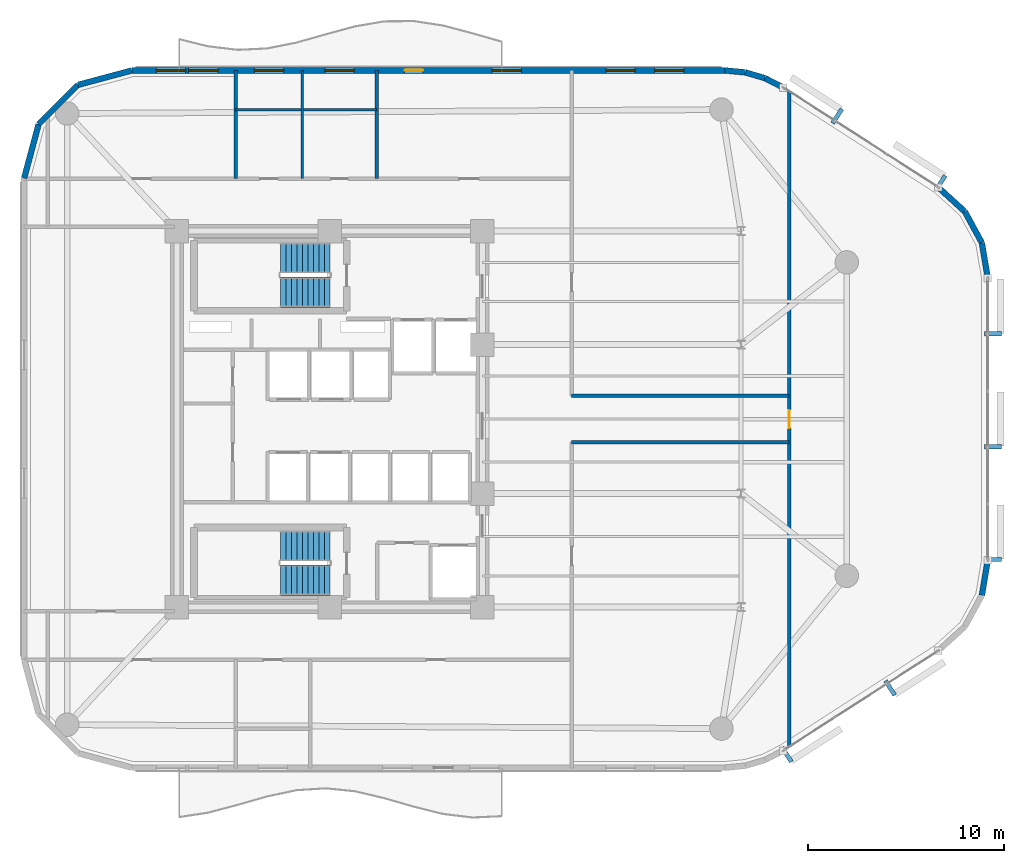
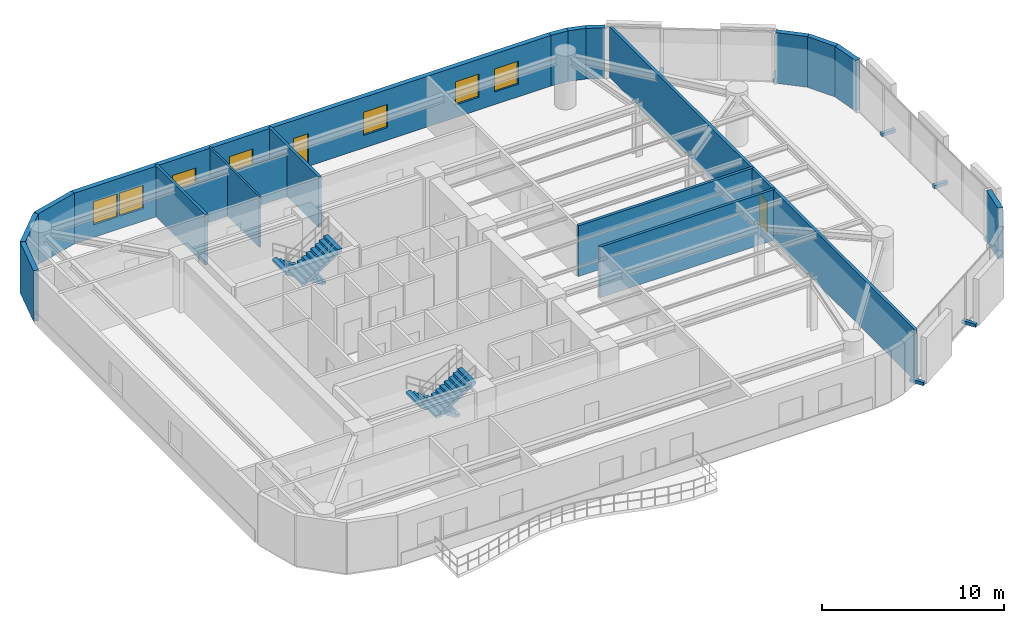
# One storey, part 12 of 14: 18 walls, 7 discrete accessories, 7 windows, 4 stair flights, 2 doors, 9 openings, 2 elements without a shape of their own.
"""IFC4 building model written with IfcOpenShell, lengths in metres."""

from ifc_helpers import new_model, si_unit, direction, frame, frame_2d, origin, origin_2d, place, context, subcontext, project, spatial, polyline, rectangle, outline, extrude, material, layer, layer_set, type_object, element, fill, aggregate, save


model = new_model("IFC4")

# Units and contexts
model_context = context("Model", 3, precision=1e-05, world=origin(), true_north=direction((0.0, 1.0)))
body_context = subcontext(model_context, "Body", "Model", "MODEL_VIEW")
ifc_project = project(units=[si_unit("LENGTHUNIT", "METRE"), si_unit("AREAUNIT", "SQUARE_METRE"), si_unit("VOLUMEUNIT", "CUBIC_METRE"), si_unit("PLANEANGLEUNIT", "RADIAN"), si_unit("MASSUNIT", "GRAM", prefix="KILO")], contexts=[model_context])

# Site, building, storey
site_placement = place(None, origin())
site = spatial("IfcSite", under=ifc_project, at=site_placement, CompositionType="ELEMENT")
building_placement = place(site_placement, origin())
building = spatial("IfcBuilding", under=site, at=building_placement, Name="An Khanh Terracotta Commons", CompositionType="ELEMENT")
storey_placement = place(building_placement, frame((0.0, 0.0, 158.199951171875)))
storey = spatial("IfcBuildingStorey", under=building, at=storey_placement, Name="L41", CompositionType="ELEMENT", Elevation=158.199951171875)

# Walls
ifc_material_1 = material(Name="Fire-Rated Gypsum Board on Steel Stud", Category="steel")
ifc_layer_1 = layer(ifc_material_1, 0.179931640625, Name="Fire-Rated Gypsum Board on Steel Stud")
ifc_layer_set_1 = layer_set([ifc_layer_1], Name="Fire-Rated Gypsum Board on Steel Stud")
wall_type_1 = type_object("IfcWallType", Name="WALL-CORR-180", PredefinedType="PARTITIONING", material=ifc_layer_set_1)
for number, where, z_axis, x_axis, name in (
    (1, (41.75, 22.820068359375, 0.0), (0.0, 0.0, 1.0), (1.0, 0.0, 0.0), "L41 Interior Partition IW-L41-E004"),
    (2, (41.75, 25.179931640625, 0.0), (0.0, 0.0, 1.0), (1.0, 0.0, 0.0), "L41 Interior Partition IW-L41-E005"),
):
    element("IfcWall", number, at=place(storey_placement, frame(where, z_axis=z_axis, x_axis=x_axis)), inside=storey, type_object=wall_type_1, Name=name, PredefinedType="PARTITIONING", context=body_context, shape_type="SweptSolid", body=[
        extrude(rectangle(XDim=11.10009765625, YDim=0.179931640625, at=frame_2d((5.550048828125, 0.0))), origin(), (0.0, 0.0, 1.0), 3.400146484375),
    ])
for number, where, z_axis, x_axis, name in (
    (3, (24.60009765625, 36.280029296875, 0.0), (0.0, 0.0, 1.0), (0.0, 1.0, 0.0), "L41 Interior Partition IW-L41-E012"),
    (4, (31.800048828125, 36.280029296875, 0.0), (0.0, 0.0, 1.0), (0.0, 1.0, 0.0), "L41 Interior Partition IW-L41-E015"),
):
    element("IfcWall", number, at=place(storey_placement, frame(where, z_axis=z_axis, x_axis=x_axis)), inside=storey, type_object=wall_type_1, Name=name, PredefinedType="PARTITIONING", context=body_context, shape_type="SweptSolid", body=[
        extrude(rectangle(XDim=5.52001953125, YDim=0.179931640625, at=frame_2d((2.760009765625, 0.0))), origin(), (0.0, 0.0, 1.0), 3.400146484375),
    ])

# Wall, opening, door
wall_1_placement = place(storey_placement, frame((52.85009765625, 7.262939453125, 0.0), z_axis=(0.0, 0.0, 1.0), x_axis=(0.0, 1.0, 0.0)))
wall_1 = element("IfcWall", 5, at=wall_1_placement, inside=storey, type_object=wall_type_1, Name="L41 Interior Partition IW-L41-E018", PredefinedType="PARTITIONING", context=body_context, shape_type="SweptSolid", body=[
    extrude(rectangle(XDim=33.47412109375, YDim=0.179931640625, at=frame_2d((16.737060546875, 0.0))), origin(), (0.0, 0.0, 1.0), 3.400146484375),
])
opening_1_placement = place(wall_1_placement, frame((16.277099609375, 0.0, 0.0)))
opening_1 = element("IfcOpeningElement", 6, at=opening_1_placement, cuts=wall_1, Name="Opening D-RM", PredefinedType="OPENING", context=body_context, shape_type="SweptSolid", body=[
    extrude(rectangle(XDim=0.919921875, YDim=2.10009765625, at=frame_2d((0.4599609375, 1.050048828125))), frame((0.0, 0.099853515625, 0.0), z_axis=(0.0, -1.0, 0.0), x_axis=(1.0, 0.0, 0.0)), (0.0, 0.0, 1.0), 0.199951171875),
])
ifc_material_2 = material(Name="Engineered Hardwood Timber Leaf", Category="wood")
door_type_1 = type_object("IfcDoorType", Name="DOOR-INT-920", OperationType="NOTDEFINED", PredefinedType="DOOR", material=ifc_material_2)
door_1_placement = place(opening_1_placement, origin())
door_1 = element("IfcDoor", 7, at=door_1_placement, inside=storey, type_object=door_type_1, Name="L41 GHALL Riverfront Reference Library Door", OperationType="SINGLE_SWING_LEFT", OverallHeight=2.10009765625, OverallWidth=0.919921875, PredefinedType="DOOR", context=body_context, shape_type="SweptSolid", body=[
    extrude(rectangle(XDim=0.919921875, YDim=2.10009765625, at=frame_2d((0.4599609375, 1.050048828125))), frame((0.0, 0.02490234375, 0.0), z_axis=(0.0, -1.0, 0.0), x_axis=(1.0, 0.0, 0.0)), (0.0, 0.0, 1.0), 0.050048828125),
])
fill(opening_1, door_1)

# Walls
ifc_material_3 = material(Name="Precast concrete C40/50", Category="concrete")
ifc_layer_2 = layer(ifc_material_3, 0.300048828125, Name="Precast concrete C40/50")
ifc_layer_set_2 = layer_set([ifc_layer_2], Name="Precast concrete C40/50")
wall_type_2 = type_object("IfcWallType", Name="WALL-EXT-300", PredefinedType="SOLIDWALL", material=ifc_layer_set_2)
for number, where, z_axis, x_axis, name in (
    (8, (62.697998046875, 15.0029296875, 0.0), (0.0, 0.0, 1.0), (0.165724081207, 0.986172159873, 0.0), "L41 Insulated Terracotta Exterior Wall 11"),
    (9, (63.0, 31.199951171875, 0.0), (0.0, 0.0, 1.0), (-0.165724081207, 0.986172159873, 0.0), "L41 Insulated Terracotta Exterior Wall 13"),
):
    element("IfcWall", number, at=place(storey_placement, frame(where, z_axis=z_axis, x_axis=x_axis)), inside=storey, type_object=wall_type_2, Name=name, PredefinedType="SOLIDWALL", context=body_context, shape_type="SweptSolid", body=[
        extrude(rectangle(XDim=1.822265625, YDim=0.300048828125, at=frame_2d((0.9111328125, 0.0))), origin(), (0.0, 0.0, 1.0), 3.400146484375),
    ])
wall_2_placement = place(storey_placement, frame((62.697998046875, 32.9970703125, 0.0), z_axis=(0.0, 0.0, 1.0), x_axis=(-0.478608030646, 0.878028674362, 0.0)))
element("IfcWall", 10, at=wall_2_placement, inside=storey, type_object=wall_type_2, Name="L41 Insulated Terracotta Exterior Wall 14", PredefinedType="SOLIDWALL", context=body_context, shape_type="SweptSolid", body=[
    extrude(rectangle(XDim=1.822021484375, YDim=0.300048828125, at=frame_2d((0.9111328125, 0.0))), origin(), (0.0, 0.0, 1.0), 3.400146484375),
])
wall_3_placement = place(storey_placement, frame((61.825927734375, 34.596923828125, 0.0), z_axis=(0.0, 0.0, 1.0), x_axis=(-0.73947929393, 0.673179302897, 0.0)))
element("IfcWall", 11, at=wall_3_placement, inside=storey, type_object=wall_type_2, Name="L41 Insulated Terracotta Exterior Wall 15", PredefinedType="SOLIDWALL", context=body_context, shape_type="SweptSolid", body=[
    extrude(rectangle(XDim=1.82275390625, YDim=0.300048828125, at=frame_2d((0.911376953125, 0.0))), origin(), (0.0, 0.0, 1.0), 3.400146484375),
])
wall_4_placement = place(storey_placement, frame((52.56005859375, 40.924072265625, 0.0), z_axis=(0.0, 0.0, 1.0), x_axis=(-0.888283247196, 0.459296062198, 0.0)))
element("IfcWall", 12, at=wall_4_placement, inside=storey, type_object=wall_type_2, Name="L41 Insulated Terracotta Exterior Wall 17", PredefinedType="SOLIDWALL", context=body_context, shape_type="SweptSolid", body=[
    extrude(rectangle(XDim=1.047119140625, YDim=0.300048828125, at=frame_2d((0.5234375, 0.0))), origin(), (0.0, 0.0, 1.0), 3.400146484375),
])
wall_5_placement = place(storey_placement, frame((51.6298828125, 41.405029296875, 0.0), z_axis=(0.0, 0.0, 1.0), x_axis=(-0.959528674476, 0.281610942363, 0.0)))
element("IfcWall", 13, at=wall_5_placement, inside=storey, type_object=wall_type_2, Name="L41 Insulated Terracotta Exterior Wall 18", PredefinedType="SOLIDWALL", context=body_context, shape_type="SweptSolid", body=[
    extrude(rectangle(XDim=1.04736328125, YDim=0.300048828125, at=frame_2d((0.523681640625, 0.0))), origin(), (0.0, 0.0, 1.0), 3.400146484375),
])
wall_6_placement = place(storey_placement, frame((50.625, 41.699951171875, 0.0), z_axis=(0.0, 0.0, 1.0), x_axis=(-0.995426089968, 0.095534807324, 0.0)))
element("IfcWall", 14, at=wall_6_placement, inside=storey, type_object=wall_type_2, Name="L41 Insulated Terracotta Exterior Wall 19", PredefinedType="SOLIDWALL", context=body_context, shape_type="SweptSolid", body=[
    extrude(rectangle(XDim=1.0478515625, YDim=0.300048828125, at=frame_2d((0.52392578125, 0.0))), origin(), (0.0, 0.0, 1.0), 3.400146484375),
])

# Wall, openings, door, windows
wall_7_placement = place(storey_placement, frame((49.58203125, 41.800048828125, 0.0), z_axis=(0.0, 0.0, 1.0), x_axis=(-1.0, 0.0, 0.0)))
wall_7 = element("IfcWall", 15, at=wall_7_placement, inside=storey, type_object=wall_type_2, Name="L41 Insulated Terracotta Exterior Wall 20", PredefinedType="SOLIDWALL", context=body_context, shape_type="SweptSolid", body=[
    extrude(rectangle(XDim=30.281982421875, YDim=0.300048828125, at=frame_2d((15.14111328125, 0.0))), origin(), (0.0, 0.0, 1.0), 3.400146484375),
])
opening_2_placement = place(wall_7_placement, frame((15.406982421875, 0.0, 0.0)))
opening_2 = element("IfcOpeningElement", 16, at=opening_2_placement, cuts=wall_7, Name="Opening D-BAL", PredefinedType="OPENING", context=body_context, shape_type="SweptSolid", body=[
    extrude(rectangle(XDim=0.949951171875, YDim=2.199951171875, at=frame_2d((0.47509765625, 1.10009765625))), frame((0.0, 0.159912109375, 0.0), z_axis=(0.0, -1.0, 0.0), x_axis=(1.0, 0.0, 0.0)), (0.0, 0.0, 1.0), 0.320068359375),
])
opening_3_placement = place(wall_7_placement, frame((2.093994140625, 0.0, 0.85009765625)))
opening_3 = element("IfcOpeningElement", 17, at=opening_3_placement, cuts=wall_7, Name="Opening W-03", PredefinedType="OPENING", context=body_context, shape_type="SweptSolid", body=[
    extrude(rectangle(XDim=1.5, YDim=1.550048828125, at=frame_2d((0.75, 0.77490234375))), frame((0.0, 0.159912109375, 0.0), z_axis=(0.0, -1.0, 0.0), x_axis=(1.0, 0.0, 0.0)), (0.0, 0.0, 1.0), 0.320068359375),
])
opening_4_placement = place(wall_7_placement, frame((4.587890625, 0.0, 0.85009765625)))
opening_4 = element("IfcOpeningElement", 18, at=opening_4_placement, cuts=wall_7, Name="Opening W-03", PredefinedType="OPENING", context=body_context, shape_type="SweptSolid", body=[
    extrude(rectangle(XDim=1.5, YDim=1.550048828125, at=frame_2d((0.75, 0.77490234375))), frame((0.0, 0.159912109375, 0.0), z_axis=(0.0, -1.0, 0.0), x_axis=(1.0, 0.0, 0.0)), (0.0, 0.0, 1.0), 0.320068359375),
])
opening_5_placement = place(wall_7_placement, frame((10.39892578125, 0.0, 0.85009765625)))
opening_5 = element("IfcOpeningElement", 19, at=opening_5_placement, cuts=wall_7, Name="Opening W-03", PredefinedType="OPENING", context=body_context, shape_type="SweptSolid", body=[
    extrude(rectangle(XDim=1.5, YDim=1.550048828125, at=frame_2d((0.75, 0.77490234375))), frame((0.0, 0.159912109375, 0.0), z_axis=(0.0, -1.0, 0.0), x_axis=(1.0, 0.0, 0.0)), (0.0, 0.0, 1.0), 0.320068359375),
])
opening_6_placement = place(wall_7_placement, frame((18.931884765625, 0.0, 0.85009765625)))
opening_6 = element("IfcOpeningElement", 20, at=opening_6_placement, cuts=wall_7, Name="Opening W-03", PredefinedType="OPENING", context=body_context, shape_type="SweptSolid", body=[
    extrude(rectangle(XDim=1.5, YDim=1.550048828125, at=frame_2d((0.75, 0.77490234375))), frame((0.0, 0.159912109375, 0.0), z_axis=(0.0, -1.0, 0.0), x_axis=(1.0, 0.0, 0.0)), (0.0, 0.0, 1.0), 0.320068359375),
])
opening_7_placement = place(wall_7_placement, frame((22.531982421875, 0.0, 0.85009765625)))
opening_7 = element("IfcOpeningElement", 21, at=opening_7_placement, cuts=wall_7, Name="Opening W-03", PredefinedType="OPENING", context=body_context, shape_type="SweptSolid", body=[
    extrude(rectangle(XDim=1.5, YDim=1.550048828125, at=frame_2d((0.75, 0.77490234375))), frame((0.0, 0.159912109375, 0.0), z_axis=(0.0, -1.0, 0.0), x_axis=(1.0, 0.0, 0.0)), (0.0, 0.0, 1.0), 0.320068359375),
])
opening_8_placement = place(wall_7_placement, frame((25.882080078125, 0.0, 0.85009765625)))
opening_8 = element("IfcOpeningElement", 22, at=opening_8_placement, cuts=wall_7, Name="Opening W-03", PredefinedType="OPENING", context=body_context, shape_type="SweptSolid", body=[
    extrude(rectangle(XDim=1.5, YDim=1.550048828125, at=frame_2d((0.75, 0.77490234375))), frame((0.0, 0.159912109375, 0.0), z_axis=(0.0, -1.0, 0.0), x_axis=(1.0, 0.0, 0.0)), (0.0, 0.0, 1.0), 0.320068359375),
])
opening_9_placement = place(wall_7_placement, frame((27.531982421875, 0.0, 0.85009765625)))
opening_9 = element("IfcOpeningElement", 23, at=opening_9_placement, cuts=wall_7, Name="Opening W-03", PredefinedType="OPENING", context=body_context, shape_type="SweptSolid", body=[
    extrude(rectangle(XDim=1.5, YDim=1.550048828125, at=frame_2d((0.75, 0.77490234375))), frame((0.0, 0.159912109375, 0.0), z_axis=(0.0, -1.0, 0.0), x_axis=(1.0, 0.0, 0.0)), (0.0, 0.0, 1.0), 0.320068359375),
])
ifc_material_4 = material(Name="Thermally Broken Aluminium and Low-E Glass", Category="aluminium")
door_type_2 = type_object("IfcDoorType", Name="DOOR-BALC-950", OperationType="NOTDEFINED", PredefinedType="DOOR", material=ifc_material_4)
door_2_placement = place(opening_2_placement, origin())
door_2 = element("IfcDoor", 24, at=door_2_placement, inside=storey, type_object=door_type_2, Name="L41 N Wave Balcony Glazed Door", OperationType="SINGLE_SWING_RIGHT", OverallHeight=2.199951171875, OverallWidth=0.949951171875, PredefinedType="DOOR", context=body_context, shape_type="SweptSolid", body=[
    extrude(rectangle(XDim=0.949951171875, YDim=2.199951171875, at=frame_2d((0.47509765625, 1.10009765625))), frame((0.0, 0.02490234375, 0.0), z_axis=(0.0, -1.0, 0.0), x_axis=(1.0, 0.0, 0.0)), (0.0, 0.0, 1.0), 0.050048828125),
])
fill(opening_2, door_2)
window_type = type_object("IfcWindowType", Name="WIN-Z3-1500x1550", PartitioningType="DOUBLE_PANEL_VERTICAL", PredefinedType="WINDOW", material=ifc_material_4)
window_1_placement = place(opening_3_placement, origin())
window_1 = element("IfcWindow", 25, at=window_1_placement, inside=storey, type_object=window_type, Name="L41 Operable Casement Window 20.1", OverallHeight=1.550048828125, OverallWidth=1.5, PartitioningType="DOUBLE_PANEL_VERTICAL", PredefinedType="WINDOW", context=body_context, shape_type="SweptSolid", body=[
    extrude(rectangle(XDim=1.5, YDim=1.550048828125, at=frame_2d((0.75, 0.77490234375))), frame((0.0, 0.030029296875, 0.0), z_axis=(0.0, -1.0, 0.0), x_axis=(1.0, 0.0, 0.0)), (0.0, 0.0, 1.0), 0.06005859375),
])
fill(opening_3, window_1)
window_2_placement = place(opening_4_placement, origin())
window_2 = element("IfcWindow", 26, at=window_2_placement, inside=storey, type_object=window_type, Name="L41 Operable Casement Window 20.2", OverallHeight=1.550048828125, OverallWidth=1.5, PartitioningType="DOUBLE_PANEL_VERTICAL", PredefinedType="WINDOW", context=body_context, shape_type="SweptSolid", body=[
    extrude(rectangle(XDim=1.5, YDim=1.550048828125, at=frame_2d((0.75, 0.77490234375))), frame((0.0, 0.030029296875, 0.0), z_axis=(0.0, -1.0, 0.0), x_axis=(1.0, 0.0, 0.0)), (0.0, 0.0, 1.0), 0.06005859375),
])
fill(opening_4, window_2)
window_3_placement = place(opening_5_placement, origin())
window_3 = element("IfcWindow", 27, at=window_3_placement, inside=storey, type_object=window_type, Name="L41 Operable Casement Window 20.3", OverallHeight=1.550048828125, OverallWidth=1.5, PartitioningType="DOUBLE_PANEL_VERTICAL", PredefinedType="WINDOW", context=body_context, shape_type="SweptSolid", body=[
    extrude(rectangle(XDim=1.5, YDim=1.550048828125, at=frame_2d((0.75, 0.77490234375))), frame((0.0, 0.030029296875, 0.0), z_axis=(0.0, -1.0, 0.0), x_axis=(1.0, 0.0, 0.0)), (0.0, 0.0, 1.0), 0.06005859375),
])
fill(opening_5, window_3)
window_4_placement = place(opening_6_placement, origin())
window_4 = element("IfcWindow", 28, at=window_4_placement, inside=storey, type_object=window_type, Name="L41 Operable Casement Window 20.4", OverallHeight=1.550048828125, OverallWidth=1.5, PartitioningType="DOUBLE_PANEL_VERTICAL", PredefinedType="WINDOW", context=body_context, shape_type="SweptSolid", body=[
    extrude(rectangle(XDim=1.5, YDim=1.550048828125, at=frame_2d((0.75, 0.77490234375))), frame((0.0, 0.030029296875, 0.0), z_axis=(0.0, -1.0, 0.0), x_axis=(1.0, 0.0, 0.0)), (0.0, 0.0, 1.0), 0.06005859375),
])
fill(opening_6, window_4)
window_5_placement = place(opening_7_placement, origin())
window_5 = element("IfcWindow", 29, at=window_5_placement, inside=storey, type_object=window_type, Name="L41 Operable Casement Window 20.5", OverallHeight=1.550048828125, OverallWidth=1.5, PartitioningType="DOUBLE_PANEL_VERTICAL", PredefinedType="WINDOW", context=body_context, shape_type="SweptSolid", body=[
    extrude(rectangle(XDim=1.5, YDim=1.550048828125, at=frame_2d((0.75, 0.77490234375))), frame((0.0, 0.030029296875, 0.0), z_axis=(0.0, -1.0, 0.0), x_axis=(1.0, 0.0, 0.0)), (0.0, 0.0, 1.0), 0.06005859375),
])
fill(opening_7, window_5)
window_6_placement = place(opening_8_placement, origin())
window_6 = element("IfcWindow", 30, at=window_6_placement, inside=storey, type_object=window_type, Name="L41 Operable Casement Window 20.6", OverallHeight=1.550048828125, OverallWidth=1.5, PartitioningType="DOUBLE_PANEL_VERTICAL", PredefinedType="WINDOW", context=body_context, shape_type="SweptSolid", body=[
    extrude(rectangle(XDim=1.5, YDim=1.550048828125, at=frame_2d((0.75, 0.77490234375))), frame((0.0, 0.030029296875, 0.0), z_axis=(0.0, -1.0, 0.0), x_axis=(1.0, 0.0, 0.0)), (0.0, 0.0, 1.0), 0.06005859375),
])
fill(opening_8, window_6)
window_7_placement = place(opening_9_placement, origin())
window_7 = element("IfcWindow", 31, at=window_7_placement, inside=storey, type_object=window_type, Name="L41 Operable Casement Window 20.7", OverallHeight=1.550048828125, OverallWidth=1.5, PartitioningType="DOUBLE_PANEL_VERTICAL", PredefinedType="WINDOW", context=body_context, shape_type="SweptSolid", body=[
    extrude(rectangle(XDim=1.5, YDim=1.550048828125, at=frame_2d((0.75, 0.77490234375))), frame((0.0, 0.030029296875, 0.0), z_axis=(0.0, -1.0, 0.0), x_axis=(1.0, 0.0, 0.0)), (0.0, 0.0, 1.0), 0.06005859375),
])
fill(opening_9, window_7)

# Walls
wall_8_placement = place(storey_placement, frame((19.300048828125, 41.800048828125, 0.0), z_axis=(0.0, 0.0, 1.0), x_axis=(-0.965908238586, -0.258884674387, 0.0)))
element("IfcWall", 32, at=wall_8_placement, inside=storey, type_object=wall_type_2, Name="L41 Insulated Terracotta Exterior Wall 21", PredefinedType="SOLIDWALL", context=body_context, shape_type="SweptSolid", body=[
    extrude(rectangle(XDim=2.84716796875, YDim=0.300048828125, at=frame_2d((1.423583984375, 0.0))), origin(), (0.0, 0.0, 1.0), 3.400146484375),
])
wall_9_placement = place(storey_placement, frame((16.550048828125, 41.06298828125, 0.0), z_axis=(0.0, 0.0, 1.0), x_axis=(-0.707106781187, -0.707106781187, 0.0)))
element("IfcWall", 33, at=wall_9_placement, inside=storey, type_object=wall_type_2, Name="L41 Insulated Terracotta Exterior Wall 22", PredefinedType="SOLIDWALL", context=body_context, shape_type="SweptSolid", body=[
    extrude(rectangle(XDim=2.8466796875, YDim=0.300048828125, at=frame_2d((1.42333984375, 0.0))), origin(), (0.0, 0.0, 1.0), 3.400146484375),
])
wall_10_placement = place(storey_placement, frame((14.537109375, 39.050048828125, 0.0), z_axis=(0.0, 0.0, 1.0), x_axis=(-0.258884674387, -0.965908238586, 0.0)))
element("IfcWall", 34, at=wall_10_placement, inside=storey, type_object=wall_type_2, Name="L41 Insulated Terracotta Exterior Wall 23", PredefinedType="SOLIDWALL", context=body_context, shape_type="SweptSolid", body=[
    extrude(rectangle(XDim=2.84716796875, YDim=0.300048828125, at=frame_2d((1.423583984375, 0.0))), origin(), (0.0, 0.0, 1.0), 3.400146484375),
])
ifc_material_5 = material(Name="Moisture-Resistant Cement Board Partition")
ifc_layer_3 = layer(ifc_material_5, 0.1201171875, Name="Moisture-Resistant Cement Board Partition")
ifc_layer_set_3 = layer_set([ifc_layer_3], Name="Moisture-Resistant Cement Board Partition")
wall_type_3 = type_object("IfcWallType", Name="WALL-WET-120", PredefinedType="PARTITIONING", material=ifc_layer_set_3)
wall_11_placement = place(storey_placement, frame((24.60009765625, 39.800048828125, 0.0), z_axis=(0.0, 0.0, 1.0), x_axis=(1.0, 0.0, 0.0)))
element("IfcWall", 35, at=wall_11_placement, inside=storey, type_object=wall_type_3, Name="L41 Interior Partition IW-L41-E008", PredefinedType="PARTITIONING", context=body_context, shape_type="SweptSolid", body=[
    extrude(rectangle(XDim=7.199951171875, YDim=0.1201171875, at=frame_2d((3.60009765625, 0.0))), origin(), (0.0, 0.0, 1.0), 2.882080078125),
])
wall_12_placement = place(storey_placement, frame((28.0, 36.280029296875, 0.0), z_axis=(0.0, 0.0, 1.0), x_axis=(0.0, 1.0, 0.0)))
element("IfcWall", 36, at=wall_12_placement, inside=storey, type_object=wall_type_3, Name="L41 Interior Partition IW-L41-E013", PredefinedType="PARTITIONING", context=body_context, shape_type="SweptSolid", body=[
    extrude(rectangle(XDim=5.52001953125, YDim=0.1201171875, at=frame_2d((2.760009765625, 0.0))), origin(), (0.0, 0.0, 1.0), 3.400146484375),
])

# Stair, stair flights
stair_type = type_object("IfcStairType", Name="STAIR-CORE-1550", PredefinedType="HALF_TURN_STAIR", material=ifc_material_3)
stair_1_placement = place(storey_placement, origin())
stair_1 = element("IfcStair", 37, at=stair_1_placement, inside=storey, type_object=stair_type, Name="L41 Core Smokeproof Exit Stair ST-01", PredefinedType="HALF_TURN_STAIR")
stair_flight_type = type_object("IfcStairFlightType", Name="FLIGHT-CORE-1550", PredefinedType="STRAIGHT", material=ifc_material_3)
stair_flight_1_placement = place(storey_placement, frame((29.409912109375, 32.22509765625, 0.0), z_axis=(0.0, 0.0, 1.0), x_axis=(-1.0, 0.0, 0.0)))
stair_flight_1 = element("IfcStairFlight", 38, at=stair_flight_1_placement, type_object=stair_flight_type, Name="ST-01 flight 1", NumberOfRisers=10, NumberOfTreads=9, PredefinedType="STRAIGHT", RiserHeight=0.18, TreadLength=0.28, context=body_context, shape_type="SweptSolid", body=[
    extrude(outline(polyline([(0.0, 0.0), (0.0, 0.179931640625), (0.280029296875, 0.179931640625), (0.280029296875, 0.360107421875), (0.56005859375, 0.360107421875), (0.56005859375, 0.5400390625), (0.840087890625, 0.5400390625), (0.840087890625, 0.719970703125), (1.1201171875, 0.719970703125), (1.1201171875, 0.89990234375), (1.39990234375, 0.89990234375), (1.39990234375, 1.080078125), (1.679931640625, 1.080078125), (1.679931640625, 1.260009765625), (1.9599609375, 1.260009765625), (1.9599609375, 1.43994140625), (2.239990234375, 1.43994140625), (2.239990234375, 1.6201171875), (2.52001953125, 1.6201171875), (2.52001953125, 1.800048828125), (2.52001953125, 1.44189453125), (0.277099609375, 0.0), (0.0, 0.0)])), frame((0.0, 0.77490234375, 0.0), z_axis=(0.0, -1.0, 0.0), x_axis=(1.0, 0.0, 0.0)), (0.0, 0.0, 1.0), 1.550048828125),
])
stair_flight_2_placement = place(storey_placement, frame((26.889892578125, 30.47509765625, 1.800048828125), z_axis=(0.0, 0.0, 1.0), x_axis=(1.0, 0.0, 0.0)))
stair_flight_2 = element("IfcStairFlight", 39, at=stair_flight_2_placement, type_object=stair_flight_type, Name="ST-01 flight 2", NumberOfRisers=10, NumberOfTreads=9, PredefinedType="STRAIGHT", RiserHeight=0.18, TreadLength=0.28, context=body_context, shape_type="SweptSolid", body=[
    extrude(outline(polyline([(0.0, 0.0), (0.0, 0.179931640625), (0.280029296875, 0.179931640625), (0.280029296875, 0.360107421875), (0.56005859375, 0.360107421875), (0.56005859375, 0.5400390625), (0.840087890625, 0.5400390625), (0.840087890625, 0.719970703125), (1.1201171875, 0.719970703125), (1.1201171875, 0.89990234375), (1.39990234375, 0.89990234375), (1.39990234375, 1.080078125), (1.679931640625, 1.080078125), (1.679931640625, 1.260009765625), (1.9599609375, 1.260009765625), (1.9599609375, 1.43994140625), (2.239990234375, 1.43994140625), (2.239990234375, 1.6201171875), (2.52001953125, 1.6201171875), (2.52001953125, 1.800048828125), (2.52001953125, 1.44189453125), (0.277099609375, 0.0), (0.0, 0.0)])), frame((0.0, 0.77490234375, 0.0), z_axis=(0.0, -1.0, 0.0), x_axis=(1.0, 0.0, 0.0)), (0.0, 0.0, 1.0), 1.550048828125),
])
aggregate(stair_1, [stair_flight_1, stair_flight_2])

stair_2_placement = place(storey_placement, origin())
stair_2 = element("IfcStair", 40, at=stair_2_placement, inside=storey, type_object=stair_type, Name="L41 Core Smokeproof Exit Stair ST-02", PredefinedType="HALF_TURN_STAIR")
stair_flight_3_placement = place(storey_placement, frame((29.409912109375, 17.52490234375, 0.0), z_axis=(0.0, 0.0, 1.0), x_axis=(-1.0, 0.0, 0.0)))
stair_flight_3 = element("IfcStairFlight", 41, at=stair_flight_3_placement, type_object=stair_flight_type, Name="ST-02 flight 1", NumberOfRisers=10, NumberOfTreads=9, PredefinedType="STRAIGHT", RiserHeight=0.18, TreadLength=0.28, context=body_context, shape_type="SweptSolid", body=[
    extrude(outline(polyline([(0.0, 0.0), (0.0, 0.179931640625), (0.280029296875, 0.179931640625), (0.280029296875, 0.360107421875), (0.56005859375, 0.360107421875), (0.56005859375, 0.5400390625), (0.840087890625, 0.5400390625), (0.840087890625, 0.719970703125), (1.1201171875, 0.719970703125), (1.1201171875, 0.89990234375), (1.39990234375, 0.89990234375), (1.39990234375, 1.080078125), (1.679931640625, 1.080078125), (1.679931640625, 1.260009765625), (1.9599609375, 1.260009765625), (1.9599609375, 1.43994140625), (2.239990234375, 1.43994140625), (2.239990234375, 1.6201171875), (2.52001953125, 1.6201171875), (2.52001953125, 1.800048828125), (2.52001953125, 1.44189453125), (0.277099609375, 0.0), (0.0, 0.0)])), frame((0.0, 0.77490234375, 0.0), z_axis=(0.0, -1.0, 0.0), x_axis=(1.0, 0.0, 0.0)), (0.0, 0.0, 1.0), 1.550048828125),
])
stair_flight_4_placement = place(storey_placement, frame((26.889892578125, 15.77490234375, 1.800048828125), z_axis=(0.0, 0.0, 1.0), x_axis=(1.0, 0.0, 0.0)))
stair_flight_4 = element("IfcStairFlight", 42, at=stair_flight_4_placement, type_object=stair_flight_type, Name="ST-02 flight 2", NumberOfRisers=10, NumberOfTreads=9, PredefinedType="STRAIGHT", RiserHeight=0.18, TreadLength=0.28, context=body_context, shape_type="SweptSolid", body=[
    extrude(outline(polyline([(0.0, 0.0), (0.0, 0.179931640625), (0.280029296875, 0.179931640625), (0.280029296875, 0.360107421875), (0.56005859375, 0.360107421875), (0.56005859375, 0.5400390625), (0.840087890625, 0.5400390625), (0.840087890625, 0.719970703125), (1.1201171875, 0.719970703125), (1.1201171875, 0.89990234375), (1.39990234375, 0.89990234375), (1.39990234375, 1.080078125), (1.679931640625, 1.080078125), (1.679931640625, 1.260009765625), (1.9599609375, 1.260009765625), (1.9599609375, 1.43994140625), (2.239990234375, 1.43994140625), (2.239990234375, 1.6201171875), (2.52001953125, 1.6201171875), (2.52001953125, 1.800048828125), (2.52001953125, 1.44189453125), (0.277099609375, 0.0), (0.0, 0.0)])), frame((0.0, 0.77490234375, 0.0), z_axis=(0.0, -1.0, 0.0), x_axis=(1.0, 0.0, 0.0)), (0.0, 0.0, 1.0), 1.550048828125),
])
aggregate(stair_2, [stair_flight_3, stair_flight_4])

# Discrete accessories
ifc_material_6 = material(Name="Stainless Steel Grade 316L", Category="steel")
discrete_accessory_type = type_object("IfcDiscreteAccessoryType", Name="Stainless Outrigger Facade Bracket", PredefinedType="BRACKET", material=ifc_material_6)
for number, where, z_axis, x_axis, name in (
    (43, (52.73291015625, 6.8720703125, 0.06982421875), (0.0, 0.0, 1.0), (0.840702081986, 0.541497931062, 0.0), "L41 Terracotta Screen Outrigger Bracket 1"),
    (44, (58.011962890625, 10.27197265625, 0.06982421875), (0.0, 0.0, 1.0), (0.840702081986, 0.541497931062, 0.0), "L41 Terracotta Screen Outrigger Bracket 3"),
    (45, (63.264892578125, 16.8349609375, 0.06982421875), (0.0, 0.0, 1.0), (0.0, 1.0, 0.0), "L41 Terracotta Screen Outrigger Bracket 1"),
    (46, (63.264892578125, 22.594970703125, 0.06982421875), (0.0, 0.0, 1.0), (0.0, 1.0, 0.0), "L41 Terracotta Screen Outrigger Bracket 3"),
    (47, (63.264892578125, 28.35498046875, 0.06982421875), (0.0, 0.0, 1.0), (0.0, 1.0, 0.0), "L41 Terracotta Screen Outrigger Bracket 5"),
    (48, (60.592041015625, 36.06591796875, 0.06982421875), (0.0, 0.0, 1.0), (-0.840702081986, 0.541497931062, 0.0), "L41 Terracotta Screen Outrigger Bracket 1"),
    (49, (55.31298828125, 39.466064453125, 0.06982421875), (0.0, 0.0, 1.0), (-0.840702081986, 0.541497931062, 0.0), "L41 Terracotta Screen Outrigger Bracket 3"),
):
    element("IfcDiscreteAccessory", number, at=place(storey_placement, frame(where, z_axis=z_axis, x_axis=x_axis)), inside=storey, type_object=discrete_accessory_type, Name=name, PredefinedType="BRACKET", context=body_context, shape_type="SweptSolid", body=[
        extrude(rectangle(XDim=0.219970703125, YDim=0.8701171875, at=origin_2d()), origin(), (0.0, 0.0, 1.0), 0.219970703125),
    ])

save(model, "model.ifc")
